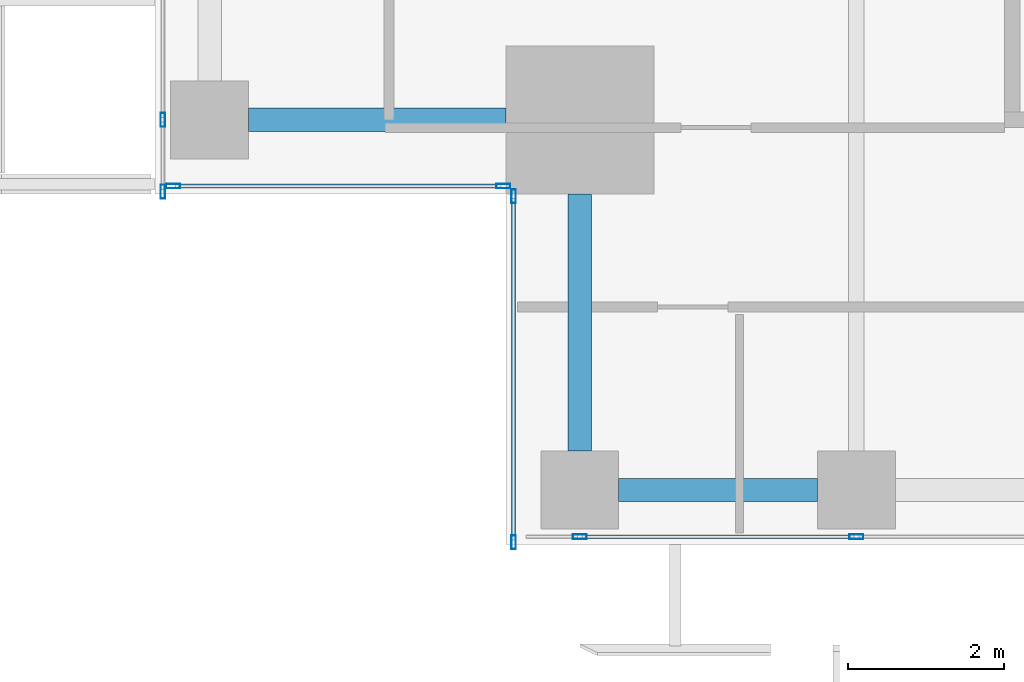
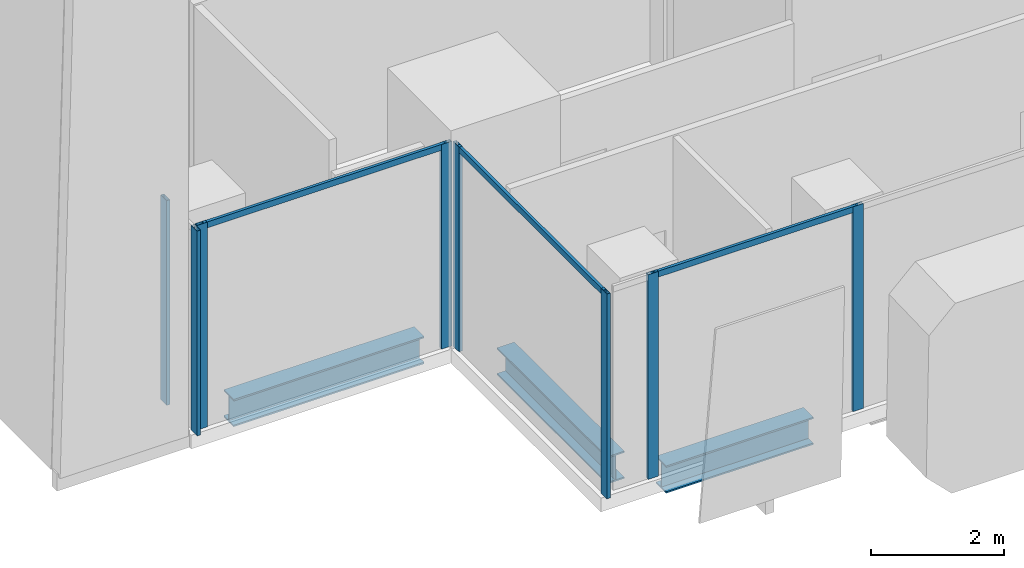
# One storey, part 2 of 40: 11 members, 3 beams, 4 elements without a shape of their own.
"""IFC4 building model written with IfcOpenShell, lengths in metres."""

from ifc_helpers import new_model, si_unit, direction, frame, origin, origin_2d, place, context, subcontext, project, spatial, hollow_rectangle, i_section, extrude, source, transform, mapped, material, material_profile, profile_set, type_object, element, aggregate, save


model = new_model("IFC4")

# Units and contexts
model_context = context("Model", 3, precision=1e-05, world=origin(), true_north=direction((0.0, 1.0)))
body_context = subcontext(model_context, "Body", "Model", "MODEL_VIEW")
ifc_project = project(units=[si_unit("LENGTHUNIT", "METRE"), si_unit("AREAUNIT", "SQUARE_METRE"), si_unit("VOLUMEUNIT", "CUBIC_METRE"), si_unit("PLANEANGLEUNIT", "RADIAN"), si_unit("MASSUNIT", "GRAM", prefix="KILO")], contexts=[model_context])

# Site, building, storey
site_placement = place(None, origin())
site = spatial("IfcSite", under=ifc_project, at=site_placement, CompositionType="ELEMENT")
building_placement = place(site_placement, origin())
building = spatial("IfcBuilding", under=site, at=building_placement, Name="Khomas Fold Tower", CompositionType="ELEMENT")
storey_placement = place(building_placement, frame((0.0, 0.0, 176.699951171875)))
storey = spatial("IfcBuildingStorey", under=building, at=storey_placement, Name="L38", CompositionType="ELEMENT", Elevation=176.699951171875)

# Beams
ifc_material_1 = material(Name="Steel S355", Category="steel")
ifc_material_profile_1 = material_profile(ifc_material_1, i_section(OverallWidth=0.300048828125, OverallDepth=0.5, WebThickness=0.014404296875, FlangeThickness=0.028076171875, at=origin_2d()), Name="HE 500 B")
ifc_profile_set_1 = profile_set([ifc_material_profile_1], Name="Steel S355")
beam_type = type_object("IfcBeamType", Name="HE 500 B spandrel SB3", PredefinedType="SPANDREL", material=ifc_profile_set_1)
shared_shape_1 = source(origin(), body_context, "Body", "SweptSolid", [
    extrude(i_section(OverallWidth=0.300048828125, OverallDepth=0.5, WebThickness=0.014404296875, FlangeThickness=0.028076171875, at=origin_2d()), origin(), (0.0, 0.0, 1.0), 2.550048828125),
])
beam_placement = place(storey_placement, frame((8.949951171875, 3.699951171875, -0.5), z_axis=(1.0, 0.0, 0.0), x_axis=(0.0, 1.0, 0.0)))
element("IfcBeam", 1, at=beam_placement, inside=storey, type_object=beam_type, Name="SB3", PredefinedType="SPANDREL", context=body_context, shape_type="MappedRepresentation", body=[
    mapped(shared_shape_1, transform((0.0, 0.0, 0.0))),
])
shared_shape_2 = source(origin(), body_context, "Body", "SweptSolid", [
    extrude(i_section(OverallWidth=0.300048828125, OverallDepth=0.5, WebThickness=0.014404296875, FlangeThickness=0.028076171875, at=origin_2d()), origin(), (0.0, 0.0, 1.0), 3.300048828125),
])
for number, where, z_axis, x_axis, name in (
    (2, (4.199951171875, 8.449951171875, -0.5), (1.0, 0.0, 0.0), (0.0, 1.0, 0.0), "SB3"),
    (3, (8.449951171875, 4.199951171875, -0.5), (0.0, 1.0, 0.0), (-1.0, 0.0, 0.0), "SB3"),
):
    element("IfcBeam", number, at=place(storey_placement, frame(where, z_axis=z_axis, x_axis=x_axis)), inside=storey, type_object=beam_type, Name=name, PredefinedType="SPANDREL", context=body_context, shape_type="MappedRepresentation", body=[
        mapped(shared_shape_2, transform((0.0, 0.0, 0.0))),
    ])

# Curtain wall, members
ifc_material_2 = material(Name="Aluminium framed double glazing", Category="aluminium")
curtain_wall_type = type_object("IfcCurtainWallType", Name="SK-Unitised clear-glass wall, office floors CW2", PredefinedType="NOTDEFINED", material=ifc_material_2)
curtain_wall_1_placement = place(storey_placement, origin())
curtain_wall_1 = element("IfcCurtainWall", 4, at=curtain_wall_1_placement, inside=storey, type_object=curtain_wall_type, Name="CW2 corner return L38 00", PredefinedType="NOTDEFINED")
ifc_material_3 = material(Name="Aluminium", Category="aluminium")
ifc_material_profile_2 = material_profile(ifc_material_3, hollow_rectangle(XDim=0.06005859375, YDim=0.179931640625, WallThickness=0.00390625, at=origin_2d()), Name="SK-Unitised clear-glass wall, office floors mullion CW2-M")
ifc_profile_set_2 = profile_set([ifc_material_profile_2], Name="Aluminium")
member_type_1 = type_object("IfcMemberType", Name="SK-Unitised clear-glass wall, office floors mullion CW2-M", PredefinedType="MULLION", material=ifc_profile_set_2)
shared_shape_3 = source(origin(), body_context, "Body", "SweptSolid", [
    extrude(hollow_rectangle(XDim=0.06005859375, YDim=0.179931640625, WallThickness=0.00390625, at=origin_2d()), origin(), (0.0, 0.0, 1.0), 3.75),
])
member_1_placement = place(storey_placement, frame((7.60009765625, 7.469970703125, 0.0), z_axis=(0.0, 0.0, 1.0), x_axis=(1.0, 0.0, 0.0)))
member_1 = element("IfcMember", 5, at=member_1_placement, type_object=member_type_1, Name="CW2 mullion 1", PredefinedType="MULLION", context=body_context, shape_type="MappedRepresentation", body=[
    mapped(shared_shape_3, transform((0.0, 0.0, 0.0))),
])
member_2_placement = place(storey_placement, frame((7.60009765625, 3.030029296875, 0.0), z_axis=(0.0, 0.0, 1.0), x_axis=(1.0, 0.0, 0.0)))
member_2 = element("IfcMember", 6, at=member_2_placement, type_object=member_type_1, Name="CW2 mullion 2", PredefinedType="MULLION", context=body_context, shape_type="MappedRepresentation", body=[
    mapped(shared_shape_3, transform((0.0, 0.0, 0.0))),
])

curtain_wall_2_placement = place(storey_placement, origin())
curtain_wall_2 = element("IfcCurtainWall", 7, at=curtain_wall_2_placement, inside=storey, type_object=curtain_wall_type, Name="CW2 run L38 01-0", PredefinedType="NOTDEFINED")
member_3_placement = place(storey_placement, frame((8.449951171875, 3.10009765625, 0.0), z_axis=(0.0, 0.0, 1.0), x_axis=(0.0, 1.0, 0.0)))
member_3 = element("IfcMember", 8, at=member_3_placement, type_object=member_type_1, Name="CW2 mullion 2", PredefinedType="MULLION", context=body_context, shape_type="MappedRepresentation", body=[
    mapped(shared_shape_3, transform((0.0, 0.0, 0.0))),
])
member_4_placement = place(storey_placement, frame((12.0, 3.10009765625, 0.0), z_axis=(0.0, 0.0, 1.0), x_axis=(0.0, 1.0, 0.0)))
member_4 = element("IfcMember", 9, at=member_4_placement, type_object=member_type_1, Name="CW2 mullion 3", PredefinedType="MULLION", context=body_context, shape_type="MappedRepresentation", body=[
    mapped(shared_shape_3, transform((0.0, 0.0, 0.0))),
])

curtain_wall_3_placement = place(storey_placement, origin())
curtain_wall_3 = element("IfcCurtainWall", 10, at=curtain_wall_3_placement, inside=storey, type_object=curtain_wall_type, Name="CW2 run L38 18-0", PredefinedType="NOTDEFINED")
member_5_placement = place(storey_placement, frame((3.10009765625, 8.449951171875, 0.0), z_axis=(0.0, 0.0, 1.0), x_axis=(1.0, 0.0, 0.0)))
member_5 = element("IfcMember", 11, at=member_5_placement, type_object=member_type_1, Name="CW2 mullion 8", PredefinedType="MULLION", context=body_context, shape_type="MappedRepresentation", body=[
    mapped(shared_shape_3, transform((0.0, 0.0, 0.0))),
])
member_6_placement = place(storey_placement, frame((3.10009765625, 7.530029296875, 0.0), z_axis=(0.0, 0.0, 1.0), x_axis=(1.0, 0.0, 0.0)))
member_6 = element("IfcMember", 12, at=member_6_placement, type_object=member_type_1, Name="CW2 mullion 9", PredefinedType="MULLION", context=body_context, shape_type="MappedRepresentation", body=[
    mapped(shared_shape_3, transform((0.0, 0.0, 0.0))),
])
aggregate(curtain_wall_3, [member_5, member_6])

curtain_wall_4_placement = place(storey_placement, origin())
curtain_wall_4 = element("IfcCurtainWall", 13, at=curtain_wall_4_placement, inside=storey, type_object=curtain_wall_type, Name="CW2 corner return L38 19", PredefinedType="NOTDEFINED")
member_7_placement = place(storey_placement, frame((3.22998046875, 7.60009765625, 0.0), z_axis=(0.0, 0.0, 1.0), x_axis=(0.0, 1.0, 0.0)))
member_7 = element("IfcMember", 14, at=member_7_placement, type_object=member_type_1, Name="CW2 mullion 1", PredefinedType="MULLION", context=body_context, shape_type="MappedRepresentation", body=[
    mapped(shared_shape_3, transform((0.0, 0.0, 0.0))),
])
member_8_placement = place(storey_placement, frame((7.469970703125, 7.60009765625, 0.0), z_axis=(0.0, 0.0, 1.0), x_axis=(0.0, 1.0, 0.0)))
member_8 = element("IfcMember", 15, at=member_8_placement, type_object=member_type_1, Name="CW2 mullion 2", PredefinedType="MULLION", context=body_context, shape_type="MappedRepresentation", body=[
    mapped(shared_shape_3, transform((0.0, 0.0, 0.0))),
])

# Member
ifc_material_4 = material(Name="Aluminium", Category="aluminium")
ifc_material_profile_3 = material_profile(ifc_material_4, hollow_rectangle(XDim=0.050048828125, YDim=0.110107421875, WallThickness=0.00390625, at=origin_2d()), Name="SK-Unitised clear-glass wall, office floors transom CW2-T")
ifc_profile_set_3 = profile_set([ifc_material_profile_3], Name="Aluminium")
member_type_2 = type_object("IfcMemberType", Name="SK-Unitised clear-glass wall, office floors transom CW2-T", PredefinedType="USERDEFINED", material=ifc_profile_set_3)
shared_shape_4 = source(origin(), body_context, "Body", "SweptSolid", [
    extrude(hollow_rectangle(XDim=0.050048828125, YDim=0.110107421875, WallThickness=0.00390625, at=origin_2d()), origin(), (0.0, 0.0, 1.0), 4.3798828125),
])
member_9_placement = place(storey_placement, frame((7.60009765625, 7.43994140625, 3.695068359375), z_axis=(0.0, -1.0, 0.0), x_axis=(1.0, 0.0, 0.0)))
member_9 = element("IfcMember", 16, at=member_9_placement, type_object=member_type_2, Name="CW2 transom 1", ObjectType="TRANSOM", PredefinedType="USERDEFINED", context=body_context, shape_type="MappedRepresentation", body=[
    mapped(shared_shape_4, transform((0.0, 0.0, 0.0))),
])

aggregate(curtain_wall_1, [member_1, member_2, member_9])

shared_shape_5 = source(origin(), body_context, "Body", "SweptSolid", [
    extrude(hollow_rectangle(XDim=0.050048828125, YDim=0.110107421875, WallThickness=0.00390625, at=origin_2d()), origin(), (0.0, 0.0, 1.0), 3.489990234375),
])
member_10_placement = place(storey_placement, frame((8.47998046875, 3.10009765625, 3.695068359375), z_axis=(1.0, 0.0, 0.0), x_axis=(0.0, 1.0, 0.0)))
member_10 = element("IfcMember", 17, at=member_10_placement, type_object=member_type_2, Name="CW2 transom 2", ObjectType="TRANSOM", PredefinedType="USERDEFINED", context=body_context, shape_type="MappedRepresentation", body=[
    mapped(shared_shape_5, transform((0.0, 0.0, 0.0))),
])

aggregate(curtain_wall_2, [member_3, member_4, member_10])

shared_shape_6 = source(origin(), body_context, "Body", "SweptSolid", [
    extrude(hollow_rectangle(XDim=0.050048828125, YDim=0.110107421875, WallThickness=0.00390625, at=origin_2d()), origin(), (0.0, 0.0, 1.0), 4.179931640625),
])
member_11_placement = place(storey_placement, frame((3.260009765625, 7.60009765625, 3.695068359375), z_axis=(1.0, 0.0, 0.0), x_axis=(0.0, 1.0, 0.0)))
member_11 = element("IfcMember", 18, at=member_11_placement, type_object=member_type_2, Name="CW2 transom 1", ObjectType="TRANSOM", PredefinedType="USERDEFINED", context=body_context, shape_type="MappedRepresentation", body=[
    mapped(shared_shape_6, transform((0.0, 0.0, 0.0))),
])

aggregate(curtain_wall_4, [member_7, member_8, member_11])

save(model, "model.ifc")
